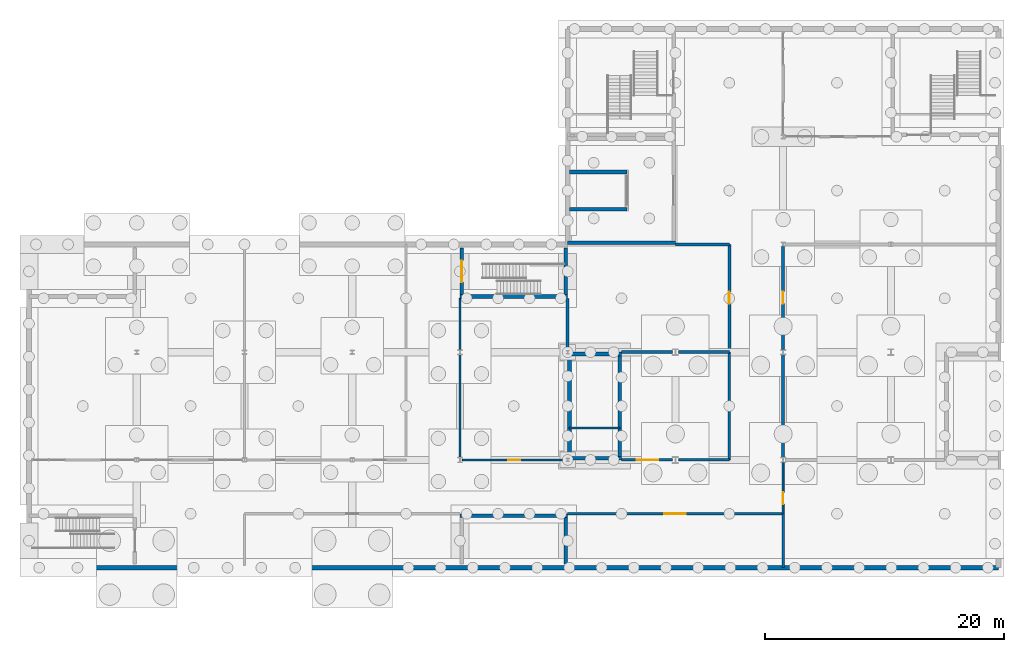
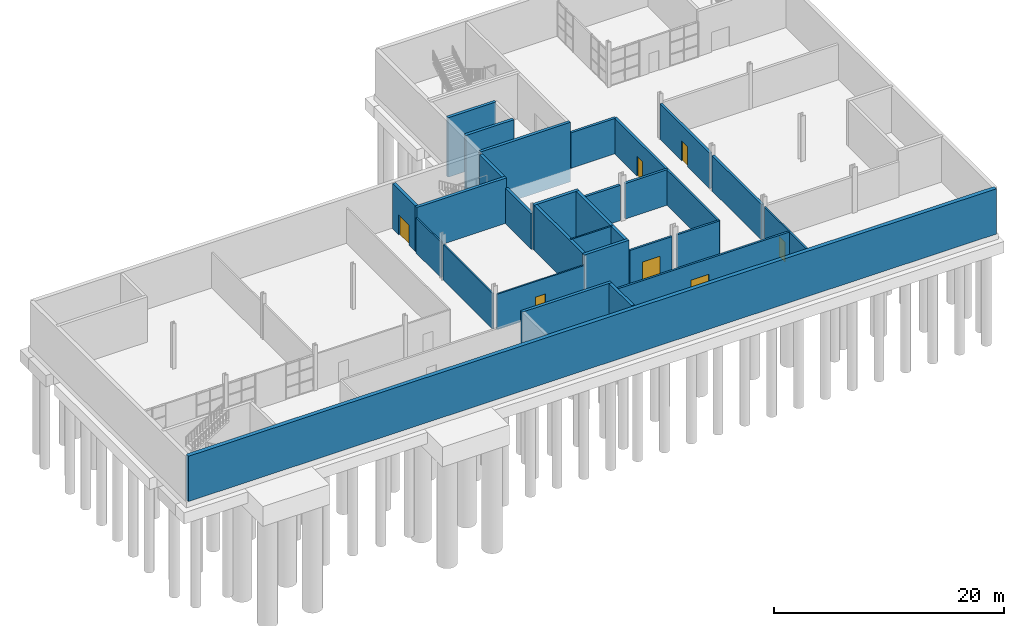
# One storey, part 12 of 17: 30 walls, 7 doors, 7 openings.
"""IFC4 building model written with IfcOpenShell, lengths in metres."""

from ifc_helpers import new_model, si_unit, direction, frame, frame_2d, origin, place, context, subcontext, project, spatial, rectangle, extrude, material, layer, layer_set, type_object, element, fill, save


model = new_model("IFC4")

# Units and contexts
model_context = context("Model", 3, precision=1e-05, world=origin(), true_north=direction((0.0, 1.0)))
body_context = subcontext(model_context, "Body", "Model", "MODEL_VIEW")
ifc_project = project(units=[si_unit("LENGTHUNIT", "METRE"), si_unit("AREAUNIT", "SQUARE_METRE"), si_unit("VOLUMEUNIT", "CUBIC_METRE"), si_unit("PLANEANGLEUNIT", "RADIAN"), si_unit("MASSUNIT", "GRAM", prefix="KILO")], contexts=[model_context])

# Site, building, storey
site_placement = place(None, origin())
site = spatial("IfcSite", under=ifc_project, at=site_placement, CompositionType="ELEMENT")
building_placement = place(site_placement, origin())
building = spatial("IfcBuilding", under=site, at=building_placement, Name="Halyard Row Museum", CompositionType="ELEMENT")
storey_placement = place(building_placement, frame((0.0, 0.0, -9.60009765625)))
storey = spatial("IfcBuildingStorey", under=building, at=storey_placement, Name="B2", CompositionType="ELEMENT", Elevation=-9.60009765625)

# Walls
ifc_material_1 = material(Name="Concrete 40 MPa", Category="concrete")
ifc_layer_1 = layer(ifc_material_1, 0.25)
ifc_layer_set_1 = layer_set([ifc_layer_1], Name="Concrete 40 MPa")
wall_type_1 = type_object("IfcWallType", Name="Archive wall 250 reinforced concrete", PredefinedType="PARTITIONING", material=ifc_layer_set_1)
wall_1_placement = place(storey_placement, frame((72.0, 36.0, 0.0), z_axis=(0.0, 0.0, 1.0), x_axis=(0.0, 1.0, 0.0)))
element("IfcWall", 1, at=wall_1_placement, inside=storey, type_object=wall_type_1, Name="Partition Pest Treatment Room / Archive Store Deep", PredefinedType="PARTITIONING", context=body_context, shape_type="SweptSolid", body=[
    extrude(rectangle(XDim=4.5, YDim=0.25, at=frame_2d((2.25, 0.0))), origin(), (0.0, 0.0, 1.0), 3.758056640625),
])
for number, where, z_axis, x_axis, name in (
    (2, (76.5, 36.0, 0.0), (0.0, 0.0, 1.0), (1.0, 0.0, 0.0), "Partition Packing and Handling Room / Archive Store Deep"),
    (3, (81.25, 36.0, 0.0), (0.0, 0.0, 1.0), (1.0, 0.0, 0.0), "Partition Packing and Handling Room / Archive Store Deep"),
):
    element("IfcWall", number, at=place(storey_placement, frame(where, z_axis=z_axis, x_axis=x_axis)), inside=storey, type_object=wall_type_1, Name=name, PredefinedType="PARTITIONING", context=body_context, shape_type="SweptSolid", body=[
        extrude(rectangle(XDim=4.25, YDim=0.25, at=frame_2d((2.125, 0.0))), origin(), (0.0, 0.0, 1.0), 3.758056640625),
    ])

# Wall, opening, door
wall_2_placement = place(storey_placement, frame((85.5, 36.0, 0.0), z_axis=(0.0, 0.0, 1.0), x_axis=(0.0, 1.0, 0.0)))
wall_2 = element("IfcWall", 4, at=wall_2_placement, inside=storey, type_object=wall_type_1, Name="Partition Lower Art Route North / Archive Store Deep", PredefinedType="PARTITIONING", context=body_context, shape_type="SweptSolid", body=[
    extrude(rectangle(XDim=9.0, YDim=0.25, at=frame_2d((4.5, 0.0))), origin(), (0.0, 0.0, 1.0), 3.758056640625),
])
opening_1_placement = place(wall_2_placement, frame((4.034912109375, 0.0, 0.0)))
opening_1 = element("IfcOpeningElement", 5, at=opening_1_placement, cuts=wall_2, Name="Opening DB2-013", PredefinedType="OPENING", context=body_context, shape_type="SweptSolid", body=[
    extrude(rectangle(XDim=1.0, YDim=2.10009765625, at=frame_2d((0.5, 1.050048828125))), frame((0.0, 0.135009765625, 0.0), z_axis=(0.0, -1.0, 0.0), x_axis=(1.0, 0.0, 0.0)), (0.0, 0.0, 1.0), 0.27001953125),
])
ifc_material_2 = material(Name="Galvanised steel door leaf and frame", Category="steel")
door_type_1 = type_object("IfcDoorType", Name="Archive door 1000 x 2100 fire rated", OperationType="NOTDEFINED", PredefinedType="DOOR", material=ifc_material_2)
door_1_placement = place(opening_1_placement, origin())
door_1 = element("IfcDoor", 6, at=door_1_placement, inside=storey, type_object=door_type_1, Name="Door Archive Store Deep to Lower Art Route North", OperationType="SINGLE_SWING_RIGHT", OverallHeight=2.10009765625, OverallWidth=1.0, PredefinedType="DOOR", context=body_context, shape_type="SweptSolid", body=[
    extrude(rectangle(XDim=1.0, YDim=2.10009765625, at=frame_2d((0.5, 1.050048828125))), frame((0.0, 0.02490234375, 0.0), z_axis=(0.0, -1.0, 0.0), x_axis=(1.0, 0.0, 0.0)), (0.0, 0.0, 1.0), 0.050048828125),
])
fill(opening_1, door_1)

# Wall
wall_3_placement = place(storey_placement, frame((90.0, 27.20703125, 0.0), z_axis=(0.0, 0.0, 1.0), x_axis=(0.0, 1.0, 0.0)))
element("IfcWall", 7, at=wall_3_placement, inside=storey, type_object=wall_type_1, Name="Partition Lower Art Route North / Archive Vault", PredefinedType="PARTITIONING", context=body_context, shape_type="SweptSolid", body=[
    extrude(rectangle(XDim=8.5859375, YDim=0.25, at=frame_2d((4.29296875, 0.0))), origin(), (0.0, 0.0, 1.0), 3.758056640625),
])

# Wall, opening, door
wall_4_placement = place(storey_placement, frame((90.0, 36.20703125, 0.0), z_axis=(0.0, 0.0, 1.0), x_axis=(0.0, 1.0, 0.0)))
wall_4 = element("IfcWall", 8, at=wall_4_placement, inside=storey, type_object=wall_type_1, Name="Partition Lower Art Route North / Archive Vault", PredefinedType="PARTITIONING", context=body_context, shape_type="SweptSolid", body=[
    extrude(rectangle(XDim=8.62353515625, YDim=0.25, at=frame_2d((4.311767578125, 0.0))), origin(), (0.0, 0.0, 1.0), 3.758056640625),
])
opening_2_placement = place(wall_4_placement, frame((3.85009765625, 0.0, 0.0)))
opening_2 = element("IfcOpeningElement", 9, at=opening_2_placement, cuts=wall_4, Name="Opening DB2-014", PredefinedType="OPENING", context=body_context, shape_type="SweptSolid", body=[
    extrude(rectangle(XDim=1.0, YDim=2.10009765625, at=frame_2d((0.5, 1.050048828125))), frame((0.0, 0.135009765625, 0.0), z_axis=(0.0, -1.0, 0.0), x_axis=(1.0, 0.0, 0.0)), (0.0, 0.0, 1.0), 0.27001953125),
])
door_2_placement = place(opening_2_placement, frame((1.0, 0.0, 0.0), z_axis=(0.0, 0.0, 1.0), x_axis=(-1.0, 0.0, 0.0)))
door_2 = element("IfcDoor", 10, at=door_2_placement, inside=storey, type_object=door_type_1, Name="Door Archive Vault to Lower Art Route North", OperationType="SINGLE_SWING_RIGHT", OverallHeight=2.10009765625, OverallWidth=1.0, PredefinedType="DOOR", context=body_context, shape_type="SweptSolid", body=[
    extrude(rectangle(XDim=1.0, YDim=2.10009765625, at=frame_2d((0.5, 1.050048828125))), frame((0.0, 0.02490234375, 0.0), z_axis=(0.0, -1.0, 0.0), x_axis=(1.0, 0.0, 0.0)), (0.0, 0.0, 1.0), 0.050048828125),
])
fill(opening_2, door_2)

# Walls
wall_5_placement = place(storey_placement, frame((81.0, 45.0, 0.0), z_axis=(0.0, 0.0, 1.0), x_axis=(1.0, 0.0, 0.0)))
element("IfcWall", 11, at=wall_5_placement, inside=storey, type_object=wall_type_1, Name="Partition Archive Store Deep / Goods Lift Lobby", PredefinedType="PARTITIONING", context=body_context, shape_type="SweptSolid", body=[
    extrude(rectangle(XDim=4.5, YDim=0.25, at=frame_2d((2.25, 0.0))), origin(), (0.0, 0.0, 1.0), 3.758056640625),
])
ifc_material_3 = material(Name="Concrete 40 MPa", Category="concrete")
ifc_layer_2 = layer(ifc_material_3, 0.39990234375)
ifc_layer_set_2 = layer_set([ifc_layer_2], Name="Concrete 40 MPa")
wall_type_2 = type_object("IfcWallType", Name="Basement retaining wall", PredefinedType="SOLIDWALL", material=ifc_layer_set_2)
wall_6_placement = place(storey_placement, frame((27.0, 18.0, 0.0), z_axis=(0.0, 0.0, 1.0), x_axis=(1.0, 0.0, 0.0)))
element("IfcWall", 12, at=wall_6_placement, inside=storey, type_object=wall_type_2, Name="Retaining wall B2 N1", PredefinedType="SOLIDWALL", context=body_context, shape_type="SweptSolid", body=[
    extrude(rectangle(XDim=81.0, YDim=0.39990234375, at=frame_2d((40.5, 0.0))), origin(), (0.0, 0.0, 1.0), 4.800048828125),
])

# Wall, opening, door
ifc_material_4 = material(Name="Concrete masonry 15 MPa", Category="masonry")
ifc_layer_3 = layer(ifc_material_4, 0.199951171875)
ifc_layer_set_3 = layer_set([ifc_layer_3], Name="Concrete masonry 15 MPa")
wall_type_3 = type_object("IfcWallType", Name="Blockwork wall 200 fire rated", PredefinedType="PARTITIONING", material=ifc_layer_set_3)
wall_7_placement = place(storey_placement, frame((76.5, 27.0, 0.0), z_axis=(0.0, 0.0, 1.0), x_axis=(1.0, 0.0, 0.0)))
wall_7 = element("IfcWall", 13, at=wall_7_placement, inside=storey, type_object=wall_type_3, Name="Partition Lower Art Route / Packing and Handling Room", PredefinedType="PARTITIONING", context=body_context, shape_type="SweptSolid", body=[
    extrude(rectangle(XDim=4.25, YDim=0.199951171875, at=frame_2d((2.125, 0.0))), origin(), (0.0, 0.0, 1.0), 3.758056640625),
])
opening_3_placement = place(wall_7_placement, frame((1.255126953125, 0.0, 0.0)))
opening_3 = element("IfcOpeningElement", 14, at=opening_3_placement, cuts=wall_7, Name="Opening DB2-012", PredefinedType="OPENING", context=body_context, shape_type="SweptSolid", body=[
    extrude(rectangle(XDim=1.800048828125, YDim=2.10009765625, at=frame_2d((0.89990234375, 1.050048828125))), frame((0.0, 0.10986328125, 0.0), z_axis=(0.0, -1.0, 0.0), x_axis=(1.0, 0.0, 0.0)), (0.0, 0.0, 1.0), 0.219970703125),
])
ifc_material_5 = material(Name="Timber veneered door leaf and softwood frame", Category="wood")
door_type_2 = type_object("IfcDoorType", Name="Double door 1800 x 2100 fire rated", OperationType="NOTDEFINED", PredefinedType="DOOR", material=ifc_material_5)
door_3_placement = place(opening_3_placement, origin())
door_3 = element("IfcDoor", 15, at=door_3_placement, inside=storey, type_object=door_type_2, Name="Door Packing and Handling Room to Lower Art Route", OperationType="DOUBLE_DOOR_SINGLE_SWING", OverallHeight=2.10009765625, OverallWidth=1.800048828125, PredefinedType="DOOR", context=body_context, shape_type="SweptSolid", body=[
    extrude(rectangle(XDim=1.800048828125, YDim=2.10009765625, at=frame_2d((0.89990234375, 1.050048828125))), frame((0.0, 0.02490234375, 0.0), z_axis=(0.0, -1.0, 0.0), x_axis=(1.0, 0.0, 0.0)), (0.0, 0.0, 1.0), 0.050048828125),
])
fill(opening_3, door_3)

# Walls
wall_8_placement = place(storey_placement, frame((81.25, 27.0, 0.0), z_axis=(0.0, 0.0, 1.0), x_axis=(1.0, 0.0, 0.0)))
element("IfcWall", 16, at=wall_8_placement, inside=storey, type_object=wall_type_3, Name="Partition Lower Art Route / Packing and Handling Room", PredefinedType="PARTITIONING", context=body_context, shape_type="SweptSolid", body=[
    extrude(rectangle(XDim=4.25, YDim=0.199951171875, at=frame_2d((2.125, 0.0))), origin(), (0.0, 0.0, 1.0), 3.758056640625),
])
wall_9_placement = place(storey_placement, frame((85.5, 27.0, 0.0), z_axis=(0.0, 0.0, 1.0), x_axis=(0.0, 1.0, 0.0)))
element("IfcWall", 17, at=wall_9_placement, inside=storey, type_object=wall_type_3, Name="Partition Packing and Handling Room / Lower Art Route North", PredefinedType="PARTITIONING", context=body_context, shape_type="SweptSolid", body=[
    extrude(rectangle(XDim=9.0, YDim=0.199951171875, at=frame_2d((4.5, 0.0))), origin(), (0.0, 0.0, 1.0), 3.758056640625),
])

# Wall, opening, door
ifc_material_6 = material(Name="Fire-resisting plasterboard on steel studs", Category="steel")
ifc_layer_4 = layer(ifc_material_6, 0.14990234375)
ifc_layer_set_4 = layer_set([ifc_layer_4], Name="Fire-resisting plasterboard on steel studs")
wall_type_4 = type_object("IfcWallType", Name="Compartment wall 150 fire rated", PredefinedType="PARTITIONING", material=ifc_layer_set_4)
wall_10_placement = place(storey_placement, frame((90.0, 22.5, 0.0), z_axis=(0.0, 0.0, 1.0), x_axis=(0.0, 1.0, 0.0)))
wall_10 = element("IfcWall", 18, at=wall_10_placement, inside=storey, type_object=wall_type_4, Name="Partition Lower Art Route / Conservation Imaging Laboratory", PredefinedType="PARTITIONING", context=body_context, shape_type="SweptSolid", body=[
    extrude(rectangle(XDim=4.29296875, YDim=0.14990234375, at=frame_2d((2.146484375, 0.0))), origin(), (0.0, 0.0, 1.0), 3.758056640625),
])
opening_4_placement = place(wall_10_placement, frame((0.81005859375, 0.0, 0.0)))
opening_4 = element("IfcOpeningElement", 19, at=opening_4_placement, cuts=wall_10, Name="Opening DB2-008", PredefinedType="OPENING", context=body_context, shape_type="SweptSolid", body=[
    extrude(rectangle(XDim=1.0, YDim=2.10009765625, at=frame_2d((0.5, 1.050048828125))), frame((0.0, 0.0849609375, 0.0), z_axis=(0.0, -1.0, 0.0), x_axis=(1.0, 0.0, 0.0)), (0.0, 0.0, 1.0), 0.169921875),
])
ifc_material_7 = material(Name="Fire-resisting timber door leaf and steel frame", Category="steel")
door_type_3 = type_object("IfcDoorType", Name="Compartment door 1000 x 2100 fire rated", OperationType="NOTDEFINED", PredefinedType="DOOR", material=ifc_material_7)
door_4_placement = place(opening_4_placement, frame((1.0, 0.0, 0.0), z_axis=(0.0, 0.0, 1.0), x_axis=(-1.0, 0.0, 0.0)))
door_4 = element("IfcDoor", 20, at=door_4_placement, inside=storey, type_object=door_type_3, Name="Door Conservation Imaging Laboratory to Lower Art Route", OperationType="SINGLE_SWING_LEFT", OverallHeight=2.10009765625, OverallWidth=1.0, PredefinedType="DOOR", context=body_context, shape_type="SweptSolid", body=[
    extrude(rectangle(XDim=1.0, YDim=2.10009765625, at=frame_2d((0.5, 1.050048828125))), frame((0.0, 0.02490234375, 0.0), z_axis=(0.0, -1.0, 0.0), x_axis=(1.0, 0.0, 0.0)), (0.0, 0.0, 1.0), 0.050048828125),
])
fill(opening_4, door_4)

wall_11_placement = place(storey_placement, frame((63.199951171875, 27.0, 0.0), z_axis=(0.0, 0.0, 1.0), x_axis=(1.0, 0.0, 0.0)))
wall_11 = element("IfcWall", 21, at=wall_11_placement, inside=storey, type_object=wall_type_4, Name="Partition Lower Art Route / Pest Treatment Room", PredefinedType="PARTITIONING", context=body_context, shape_type="SweptSolid", body=[
    extrude(rectangle(XDim=8.800048828125, YDim=0.14990234375, at=frame_2d((4.39990234375, 0.0))), origin(), (0.0, 0.0, 1.0), 3.758056640625),
])
opening_5_placement = place(wall_11_placement, frame((3.85009765625, 0.0, 0.0)))
opening_5 = element("IfcOpeningElement", 22, at=opening_5_placement, cuts=wall_11, Name="Opening DB2-011", PredefinedType="OPENING", context=body_context, shape_type="SweptSolid", body=[
    extrude(rectangle(XDim=1.0, YDim=2.10009765625, at=frame_2d((0.5, 1.050048828125))), frame((0.0, 0.0849609375, 0.0), z_axis=(0.0, -1.0, 0.0), x_axis=(1.0, 0.0, 0.0)), (0.0, 0.0, 1.0), 0.169921875),
])
door_5_placement = place(opening_5_placement, origin())
door_5 = element("IfcDoor", 23, at=door_5_placement, inside=storey, type_object=door_type_3, Name="Door Pest Treatment Room to Lower Art Route", OperationType="SINGLE_SWING_RIGHT", OverallHeight=2.10009765625, OverallWidth=1.0, PredefinedType="DOOR", context=body_context, shape_type="SweptSolid", body=[
    extrude(rectangle(XDim=1.0, YDim=2.10009765625, at=frame_2d((0.5, 1.050048828125))), frame((0.0, 0.02490234375, 0.0), z_axis=(0.0, -1.0, 0.0), x_axis=(1.0, 0.0, 0.0)), (0.0, 0.0, 1.0), 0.050048828125),
])
fill(opening_5, door_5)

# Walls
wall_12_placement = place(storey_placement, frame((63.0, 27.20703125, 0.0), z_axis=(0.0, 0.0, 1.0), x_axis=(0.0, 1.0, 0.0)))
element("IfcWall", 24, at=wall_12_placement, inside=storey, type_object=wall_type_4, Name="Partition Stair Lobby K1B B2 / Pest Treatment Room", PredefinedType="PARTITIONING", context=body_context, shape_type="SweptSolid", body=[
    extrude(rectangle(XDim=8.5859375, YDim=0.14990234375, at=frame_2d((4.29296875, 0.0))), origin(), (0.0, 0.0, 1.0), 3.758056640625),
])
wall_13_placement = place(storey_placement, frame((63.0, 36.20703125, 0.0), z_axis=(0.0, 0.0, 1.0), x_axis=(0.0, 1.0, 0.0)))
element("IfcWall", 25, at=wall_13_placement, inside=storey, type_object=wall_type_4, Name="Partition Stair Lobby K1B B2 / Pest Treatment Room", PredefinedType="PARTITIONING", context=body_context, shape_type="SweptSolid", body=[
    extrude(rectangle(XDim=4.29296875, YDim=0.14990234375, at=frame_2d((2.146484375, 0.0))), origin(), (0.0, 0.0, 1.0), 3.758056640625),
])
ifc_material_8 = material(Name="Concrete 40 MPa", Category="concrete")
ifc_layer_5 = layer(ifc_material_8, 0.300048828125)
ifc_layer_set_5 = layer_set([ifc_layer_5], Name="Concrete 40 MPa")
wall_type_5 = type_object("IfcWallType", Name="Core wall 300 lift shaft", PredefinedType="SOLIDWALL", material=ifc_layer_set_5)
wall_14_placement = place(storey_placement, frame((72.0, 45.14990234375, -1.5), z_axis=(0.0, 0.0, 1.0), x_axis=(1.0, 0.0, 0.0)))
element("IfcWall", 26, at=wall_14_placement, inside=storey, type_object=wall_type_5, Name="Core wall K8 S B2", PredefinedType="SOLIDWALL", context=body_context, shape_type="SweptSolid", body=[
    extrude(rectangle(XDim=9.0, YDim=0.300048828125, at=frame_2d((4.5, 0.0))), origin(), (0.0, 0.0, 1.0), 6.300048828125),
])
for number, where, z_axis, x_axis, name in (
    (27, (72.14990234375, 47.949951171875, -1.5), (0.0, 0.0, 1.0), (1.0, 0.0, 0.0), "Shaft wall GL1 A B2"),
    (28, (72.14990234375, 51.050048828125, -1.5), (0.0, 0.0, 1.0), (1.0, 0.0, 0.0), "Shaft wall GL1 B B2"),
):
    element("IfcWall", number, at=place(storey_placement, frame(where, z_axis=z_axis, x_axis=x_axis)), inside=storey, type_object=wall_type_5, Name=name, PredefinedType="SOLIDWALL", context=body_context, shape_type="SweptSolid", body=[
        extrude(rectangle(XDim=4.800048828125, YDim=0.300048828125, at=frame_2d((2.39990234375, 0.0))), origin(), (0.0, 0.0, 1.0), 6.300048828125),
    ])
wall_15_placement = place(storey_placement, frame((72.0, 27.14990234375, 0.0), z_axis=(0.0, 0.0, 1.0), x_axis=(1.0, 0.0, 0.0)))
element("IfcWall", 29, at=wall_15_placement, inside=storey, type_object=wall_type_5, Name="Core wall K7 S B2", PredefinedType="SOLIDWALL", context=body_context, shape_type="SweptSolid", body=[
    extrude(rectangle(XDim=4.5, YDim=0.300048828125, at=frame_2d((2.25, 0.0))), origin(), (0.0, 0.0, 1.0), 4.800048828125),
])
wall_16_placement = place(storey_placement, frame((76.35009765625, 27.300048828125, 0.0), z_axis=(0.0, 0.0, 1.0), x_axis=(0.0, 1.0, 0.0)))
element("IfcWall", 30, at=wall_16_placement, inside=storey, type_object=wall_type_5, Name="Core wall K7 E B2", PredefinedType="SOLIDWALL", context=body_context, shape_type="SweptSolid", body=[
    extrude(rectangle(XDim=8.39990234375, YDim=0.300048828125, at=frame_2d((4.199951171875, 0.0))), origin(), (0.0, 0.0, 1.0), 4.800048828125),
])
wall_17_placement = place(storey_placement, frame((72.0, 35.85009765625, 0.0), z_axis=(0.0, 0.0, 1.0), x_axis=(1.0, 0.0, 0.0)))
element("IfcWall", 31, at=wall_17_placement, inside=storey, type_object=wall_type_5, Name="Core wall K7 N B2", PredefinedType="SOLIDWALL", context=body_context, shape_type="SweptSolid", body=[
    extrude(rectangle(XDim=4.5, YDim=0.300048828125, at=frame_2d((2.25, 0.0))), origin(), (0.0, 0.0, 1.0), 4.800048828125),
])
wall_18_placement = place(storey_placement, frame((72.14990234375, 27.300048828125, 0.0), z_axis=(0.0, 0.0, 1.0), x_axis=(0.0, 1.0, 0.0)))
element("IfcWall", 32, at=wall_18_placement, inside=storey, type_object=wall_type_5, Name="Core wall K7 W B2", PredefinedType="SOLIDWALL", context=body_context, shape_type="SweptSolid", body=[
    extrude(rectangle(XDim=8.39990234375, YDim=0.300048828125, at=frame_2d((4.199951171875, 0.0))), origin(), (0.0, 0.0, 1.0), 4.800048828125),
])
ifc_material_9 = material(Name="Concrete 40 MPa", Category="concrete")
ifc_layer_6 = layer(ifc_material_9, 0.300048828125)
ifc_layer_set_6 = layer_set([ifc_layer_6], Name="Concrete 40 MPa")
wall_type_6 = type_object("IfcWallType", Name="Exitway wall 300 reinforced concrete", PredefinedType="SOLIDWALL", material=ifc_layer_set_6)
wall_19_placement = place(storey_placement, frame((63.0, 40.64990234375, 0.0), z_axis=(0.0, 0.0, 1.0), x_axis=(1.0, 0.0, 0.0)))
element("IfcWall", 33, at=wall_19_placement, inside=storey, type_object=wall_type_6, Name="Core wall K1B S B2", PredefinedType="SOLIDWALL", context=body_context, shape_type="SweptSolid", body=[
    extrude(rectangle(XDim=9.0, YDim=0.300048828125, at=frame_2d((4.5, 0.0))), origin(), (0.0, 0.0, 1.0), 4.800048828125),
])
wall_20_placement = place(storey_placement, frame((71.85009765625, 40.800048828125, 0.0), z_axis=(0.0, 0.0, 1.0), x_axis=(0.0, 1.0, 0.0)))
element("IfcWall", 34, at=wall_20_placement, inside=storey, type_object=wall_type_6, Name="Core wall K1B E B2", PredefinedType="SOLIDWALL", context=body_context, shape_type="SweptSolid", body=[
    extrude(rectangle(XDim=3.89990234375, YDim=0.300048828125, at=frame_2d((1.949951171875, 0.0))), origin(), (0.0, 0.0, 1.0), 4.800048828125),
])

# Wall, opening, door
wall_21_placement = place(storey_placement, frame((63.14990234375, 40.800048828125, 0.0), z_axis=(0.0, 0.0, 1.0), x_axis=(0.0, 1.0, 0.0)))
wall_21 = element("IfcWall", 35, at=wall_21_placement, inside=storey, type_object=wall_type_6, Name="Core wall K1B W B2", PredefinedType="SOLIDWALL", context=body_context, shape_type="SweptSolid", body=[
    extrude(rectangle(XDim=3.89990234375, YDim=0.300048828125, at=frame_2d((1.949951171875, 0.0))), origin(), (0.0, 0.0, 1.0), 4.800048828125),
])
opening_6_placement = place(wall_21_placement, frame((1.050048828125, 0.0, 0.0)))
opening_6 = element("IfcOpeningElement", 36, at=opening_6_placement, cuts=wall_21, Name="Opening DB2-001", PredefinedType="OPENING", context=body_context, shape_type="SweptSolid", body=[
    extrude(rectangle(XDim=1.800048828125, YDim=2.10009765625, at=frame_2d((0.89990234375, 1.050048828125))), frame((0.0, 0.159912109375, 0.0), z_axis=(0.0, -1.0, 0.0), x_axis=(1.0, 0.0, 0.0)), (0.0, 0.0, 1.0), 0.320068359375),
])
ifc_material_10 = material(Name="Fire-resisting timber door leaf and steel frame", Category="steel")
door_type_4 = type_object("IfcDoorType", Name="Exitway door 1800 x 2100 fire rated", OperationType="NOTDEFINED", PredefinedType="DOOR", material=ifc_material_10)
door_6_placement = place(opening_6_placement, frame((1.800048828125, 0.0, 0.0), z_axis=(0.0, 0.0, 1.0), x_axis=(-1.0, 0.0, 0.0)))
door_6 = element("IfcDoor", 37, at=door_6_placement, inside=storey, type_object=door_type_4, Name="Exitway door K1B B2", OperationType="DOUBLE_DOOR_SINGLE_SWING", OverallHeight=2.10009765625, OverallWidth=1.800048828125, PredefinedType="DOOR", context=body_context, shape_type="SweptSolid", body=[
    extrude(rectangle(XDim=1.800048828125, YDim=2.10009765625, at=frame_2d((0.89990234375, 1.050048828125))), frame((0.0, 0.02490234375, 0.0), z_axis=(0.0, -1.0, 0.0), x_axis=(1.0, 0.0, 0.0)), (0.0, 0.0, 1.0), 0.050048828125),
])
fill(opening_6, door_6)

# Walls
wall_22_placement = place(storey_placement, frame((71.85009765625, 18.300048828125, 0.0), z_axis=(0.0, 0.0, 1.0), x_axis=(0.0, 1.0, 0.0)))
element("IfcWall", 38, at=wall_22_placement, inside=storey, type_object=wall_type_6, Name="Core wall K1C E B2", PredefinedType="SOLIDWALL", context=body_context, shape_type="SweptSolid", body=[
    extrude(rectangle(XDim=3.89990234375, YDim=0.300048828125, at=frame_2d((1.949951171875, 0.0))), origin(), (0.0, 0.0, 1.0), 4.800048828125),
])
wall_23_placement = place(storey_placement, frame((63.0, 22.35009765625, 0.0), z_axis=(0.0, 0.0, 1.0), x_axis=(1.0, 0.0, 0.0)))
element("IfcWall", 39, at=wall_23_placement, inside=storey, type_object=wall_type_6, Name="Core wall K1C N B2", PredefinedType="SOLIDWALL", context=body_context, shape_type="SweptSolid", body=[
    extrude(rectangle(XDim=9.0, YDim=0.300048828125, at=frame_2d((4.5, 0.0))), origin(), (0.0, 0.0, 1.0), 4.800048828125),
])
ifc_material_11 = material(Name="Concrete 40 MPa", Category="concrete")
ifc_layer_7 = layer(ifc_material_11, 0.14990234375)
ifc_layer_set_7 = layer_set([ifc_layer_7], Name="Concrete 40 MPa")
wall_type_7 = type_object("IfcWallType", Name="Lift shaft divider 150", PredefinedType="SOLIDWALL", material=ifc_layer_set_7)
wall_24_placement = place(storey_placement, frame((72.14990234375, 29.675048828125, 0.0), z_axis=(0.0, 0.0, 1.0), x_axis=(1.0, 0.0, 0.0)))
element("IfcWall", 40, at=wall_24_placement, inside=storey, type_object=wall_type_7, Name="Shaft divider PL1 B2", PredefinedType="SOLIDWALL", context=body_context, shape_type="SweptSolid", body=[
    extrude(rectangle(XDim=4.2001953125, YDim=0.14990234375, at=frame_2d((2.10009765625, 0.0))), origin(), (0.0, 0.0, 1.0), 4.800048828125),
])

# Wall, opening, door
ifc_material_12 = material(Name="Concrete masonry 15 MPa", Category="masonry")
ifc_layer_8 = layer(ifc_material_12, 0.199951171875)
ifc_layer_set_8 = layer_set([ifc_layer_8], Name="Concrete masonry 15 MPa")
wall_type_8 = type_object("IfcWallType", Name="Plant room wall 200 fire rated", PredefinedType="PARTITIONING", material=ifc_layer_set_8)
wall_25_placement = place(storey_placement, frame((72.0, 22.5, 0.0), z_axis=(0.0, 0.0, 1.0), x_axis=(1.0, 0.0, 0.0)))
wall_25 = element("IfcWall", 41, at=wall_25_placement, inside=storey, type_object=wall_type_8, Name="Partition Lower Art Route / Pump Plant Room", PredefinedType="PARTITIONING", context=body_context, shape_type="SweptSolid", body=[
    extrude(rectangle(XDim=18.0, YDim=0.199951171875, at=frame_2d((9.0, 0.0))), origin(), (0.0, 0.0, 1.0), 3.758056640625),
])
opening_7_placement = place(wall_25_placement, frame((8.05517578125, 0.0, 0.0)))
opening_7 = element("IfcOpeningElement", 42, at=opening_7_placement, cuts=wall_25, Name="Opening DB2-007", PredefinedType="OPENING", context=body_context, shape_type="SweptSolid", body=[
    extrude(rectangle(XDim=1.800048828125, YDim=2.10009765625, at=frame_2d((0.89990234375, 1.050048828125))), frame((0.0, 0.10986328125, 0.0), z_axis=(0.0, -1.0, 0.0), x_axis=(1.0, 0.0, 0.0)), (0.0, 0.0, 1.0), 0.219970703125),
])
ifc_material_13 = material(Name="Galvanised steel door leaf and frame", Category="steel")
door_type_5 = type_object("IfcDoorType", Name="Plant room door 1800 x 2100 fire rated", OperationType="NOTDEFINED", PredefinedType="DOOR", material=ifc_material_13)
door_7_placement = place(opening_7_placement, frame((1.800048828125, 0.0, 0.0), z_axis=(0.0, 0.0, 1.0), x_axis=(-1.0, 0.0, 0.0)))
door_7 = element("IfcDoor", 43, at=door_7_placement, inside=storey, type_object=door_type_5, Name="Door Pump Plant Room to Lower Art Route", OperationType="DOUBLE_DOOR_SINGLE_SWING", OverallHeight=2.10009765625, OverallWidth=1.800048828125, PredefinedType="DOOR", context=body_context, shape_type="SweptSolid", body=[
    extrude(rectangle(XDim=1.800048828125, YDim=2.10009765625, at=frame_2d((0.89990234375, 1.050048828125))), frame((0.0, 0.02490234375, 0.0), z_axis=(0.0, -1.0, 0.0), x_axis=(1.0, 0.0, 0.0)), (0.0, 0.0, 1.0), 0.050048828125),
])
fill(opening_7, door_7)

# Wall
wall_26_placement = place(storey_placement, frame((90.0, 18.0, 0.0), z_axis=(0.0, 0.0, 1.0), x_axis=(0.0, 1.0, 0.0)))
element("IfcWall", 44, at=wall_26_placement, inside=storey, type_object=wall_type_8, Name="Partition Pump Plant Room / Conservation Imaging Laboratory", PredefinedType="PARTITIONING", context=body_context, shape_type="SweptSolid", body=[
    extrude(rectangle(XDim=4.5, YDim=0.199951171875, at=frame_2d((2.25, 0.0))), origin(), (0.0, 0.0, 1.0), 3.758056640625),
])

save(model, "model.ifc")
